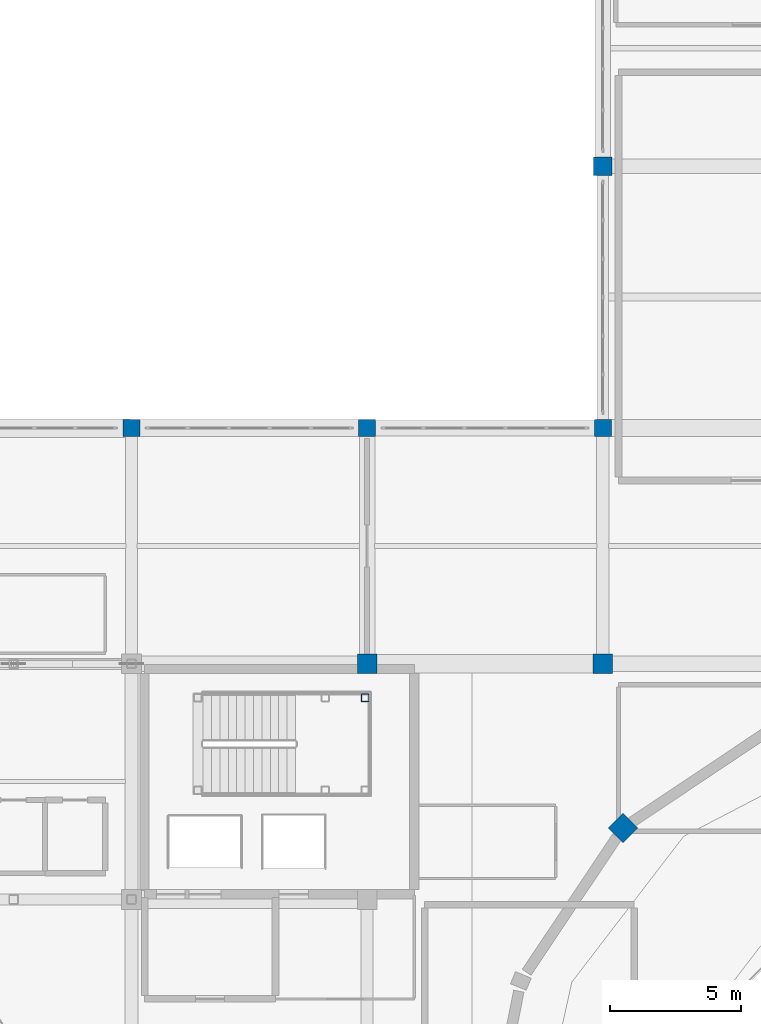
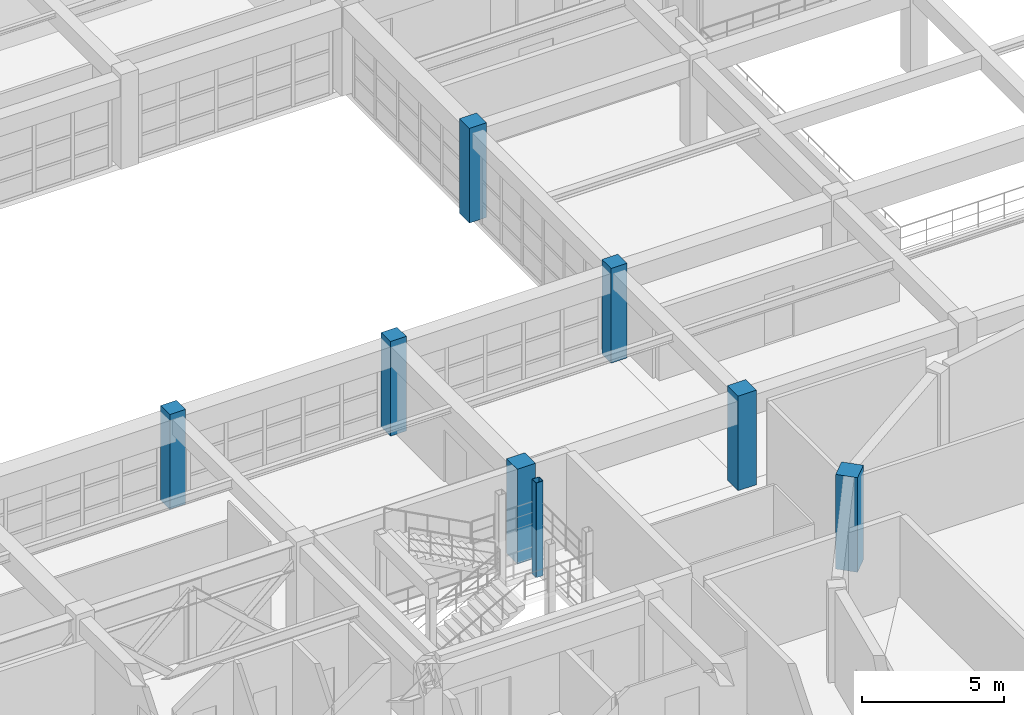
# One storey, part 8 of 130: 8 columns.
"""IFC4 building model written with IfcOpenShell, lengths in metres."""

from ifc_helpers import new_model, si_unit, direction, frame, origin, origin_2d, place, context, subcontext, project, spatial, rectangle, hollow_rectangle, extrude, material, material_profile, profile_set, type_object, element, save


model = new_model("IFC4")

# Units and contexts
model_context = context("Model", 3, precision=1e-05, world=origin(), true_north=direction((0.0, 1.0)))
body_context = subcontext(model_context, "Body", "Model", "MODEL_VIEW")
ifc_project = project(units=[si_unit("LENGTHUNIT", "METRE"), si_unit("AREAUNIT", "SQUARE_METRE"), si_unit("VOLUMEUNIT", "CUBIC_METRE"), si_unit("PLANEANGLEUNIT", "RADIAN"), si_unit("MASSUNIT", "GRAM", prefix="KILO")], contexts=[model_context])

# Site, building, storey
site_placement = place(None, origin())
site = spatial("IfcSite", under=ifc_project, at=site_placement, CompositionType="ELEMENT")
building_placement = place(site_placement, origin())
building = spatial("IfcBuilding", under=site, at=building_placement, Name="Miravela Opera House", CompositionType="ELEMENT")
storey_placement = place(building_placement, frame((0.0, 0.0, 9.52001953125)))
storey = spatial("IfcBuildingStorey", under=building, at=storey_placement, Name="L02", CompositionType="ELEMENT", Elevation=9.52001953125)

# Columns
ifc_material_1 = material(Name="Hollow structural steel ASTM A500 Gr. C", Category="steel")
ifc_material_profile_1 = material_profile(ifc_material_1, hollow_rectangle(XDim=0.300048828125, YDim=0.300048828125, WallThickness=0.01611328125, InnerFilletRadius=0.01611328125, OuterFilletRadius=0.031982421875, at=origin_2d()), Name="HSS300X300X16")
ifc_profile_set_1 = profile_set([ifc_material_profile_1])
column_type_1 = type_object("IfcColumnType", Name="STR-COL-HSS300", PredefinedType="COLUMN", material=ifc_profile_set_1)
column_1_placement = place(storey_placement, frame((53.919921875, 73.699951171875, 0.0), z_axis=(0.0, 0.0, 1.0), x_axis=(1.0, 0.0, 0.0)))
element("IfcColumn", 1, at=column_1_placement, inside=storey, type_object=column_type_1, Name="Stair K1 Landing Support Column 6 (L02)", PredefinedType="COLUMN", context=body_context, shape_type="SweptSolid", body=[
    extrude(hollow_rectangle(XDim=0.300048828125, YDim=0.300048828125, WallThickness=0.01611328125, InnerFilletRadius=0.01611328125, OuterFilletRadius=0.031982421875, at=origin_2d()), origin(), (0.0, 0.0, 1.0), 4.080078125),
])
ifc_material_2 = material(Name="Concrete C35/45", Category="concrete")
ifc_material_profile_2 = material_profile(ifc_material_2, rectangle(XDim=0.64990234375, YDim=0.64990234375, at=origin_2d()), Name="RC-COL-650X650")
ifc_profile_set_2 = profile_set([ifc_material_profile_2])
column_type_2 = type_object("IfcColumnType", Name="STR-COL-RC650", PredefinedType="COLUMN", material=ifc_profile_set_2)
for number, where, z_axis, x_axis, name in (
    (2, (45.0, 84.0, 0.0), (0.0, 0.0, 1.0), (1.0, 0.0, 0.0), "Column C-6J (L02)"),
    (3, (54.0, 84.0, 0.0), (0.0, 0.0, 1.0), (1.0, 0.0, 0.0), "Column C-7J (L02)"),
    (4, (63.0, 84.0, 0.0), (0.0, 0.0, 1.0), (1.0, 0.0, 0.0), "Column C-8J (L02)"),
):
    element("IfcColumn", number, at=place(storey_placement, frame(where, z_axis=z_axis, x_axis=x_axis)), inside=storey, type_object=column_type_2, Name=name, PredefinedType="COLUMN", context=body_context, shape_type="SweptSolid", body=[
        extrude(rectangle(XDim=0.64990234375, YDim=0.64990234375, at=origin_2d()), origin(), (0.0, 0.0, 1.0), 4.080078125),
    ])
ifc_material_profile_3 = material_profile(ifc_material_2, rectangle(XDim=0.699951171875, YDim=0.699951171875, at=origin_2d()), Name="RC-COL-700X700")
ifc_profile_set_3 = profile_set([ifc_material_profile_3])
column_type_3 = type_object("IfcColumnType", Name="STR-COL-RC700", PredefinedType="COLUMN", material=ifc_profile_set_3)
column_2_placement = place(storey_placement, frame((63.0, 94.0, 0.0), z_axis=(0.0, 0.0, 1.0), x_axis=(1.0, 0.0, 0.0)))
element("IfcColumn", 5, at=column_2_placement, inside=storey, type_object=column_type_3, Name="Column C-8K (L02)", PredefinedType="COLUMN", context=body_context, shape_type="SweptSolid", body=[
    extrude(rectangle(XDim=0.699951171875, YDim=0.699951171875, at=origin_2d()), origin(), (0.0, 0.0, 1.0), 4.080078125),
])
ifc_material_profile_4 = material_profile(ifc_material_2, rectangle(XDim=0.75, YDim=0.75, at=origin_2d()), Name="RC-COL-750X750")
ifc_profile_set_4 = profile_set([ifc_material_profile_4])
column_type_4 = type_object("IfcColumnType", Name="STR-COL-RC750", PredefinedType="COLUMN", material=ifc_profile_set_4)
for number, where, z_axis, x_axis, name in (
    (6, (54.0, 75.0, 0.0), (0.0, 0.0, 1.0), (1.0, 0.0, 0.0), "Column C-7I (L02)"),
    (7, (63.0, 75.0, 0.0), (0.0, 0.0, 1.0), (1.0, 0.0, 0.0), "Column C-8I (L02)"),
):
    element("IfcColumn", number, at=place(storey_placement, frame(where, z_axis=z_axis, x_axis=x_axis)), inside=storey, type_object=column_type_4, Name=name, PredefinedType="COLUMN", context=body_context, shape_type="SweptSolid", body=[
        extrude(rectangle(XDim=0.75, YDim=0.75, at=origin_2d()), origin(), (0.0, 0.0, 1.0), 4.080078125),
    ])
ifc_material_3 = material(Name="Concrete C40/50", Category="concrete")
ifc_material_profile_5 = material_profile(ifc_material_3, rectangle(XDim=0.800048828125, YDim=0.800048828125, at=origin_2d()), Name="RC-COL-800X800")
ifc_profile_set_5 = profile_set([ifc_material_profile_5])
column_type_5 = type_object("IfcColumnType", Name="STR-PIL-RC800", PredefinedType="PILASTER", material=ifc_profile_set_5)
column_3_placement = place(storey_placement, frame((63.772216796875, 68.727783203125, 0.0), z_axis=(0.0, 0.0, 1.0), x_axis=(-0.707106781187, 0.707106781187, 0.0)))
element("IfcColumn", 8, at=column_3_placement, inside=storey, type_object=column_type_5, Name="Auditorium Drum Column DC-07 (L02)", PredefinedType="PILASTER", context=body_context, shape_type="SweptSolid", body=[
    extrude(rectangle(XDim=0.800048828125, YDim=0.800048828125, at=origin_2d()), origin(), (0.0, 0.0, 1.0), 4.080078125),
])

save(model, "model.ifc")
